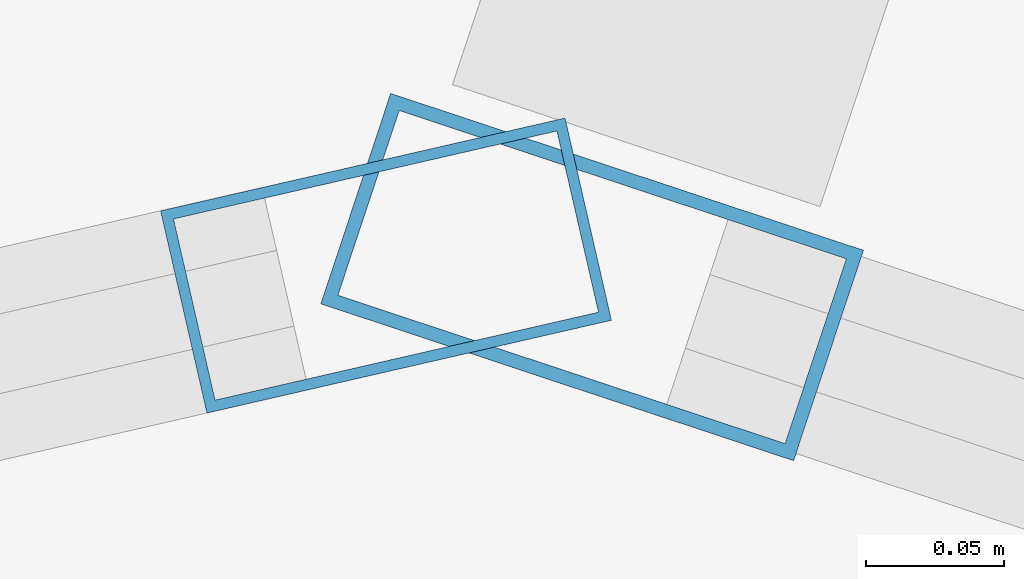
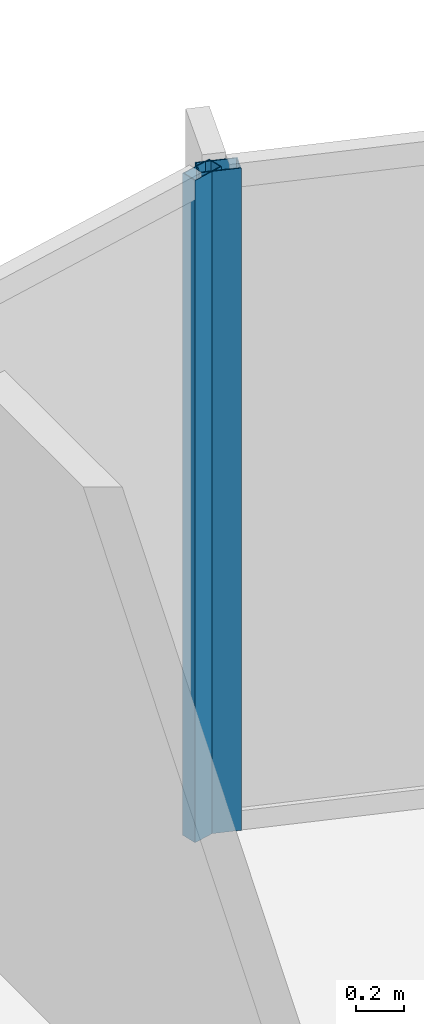
# One storey, part 22 of 34: 2 members, 2 elements without a shape of their own.
"""IFC4 building model written with IfcOpenShell, lengths in metres."""

from ifc_helpers import new_model, si_unit, direction, frame, origin, origin_2d, place, context, subcontext, project, spatial, hollow_rectangle, extrude, material, layer, layer_set, material_profile, profile_set, type_object, element, aggregate, save


model = new_model("IFC4")

# Units and contexts
model_context = context("Model", 3, precision=1e-05, world=origin(), true_north=direction((0.0, 1.0)))
body_context = subcontext(model_context, "Body", "Model", "MODEL_VIEW")
ifc_project = project(units=[si_unit("LENGTHUNIT", "METRE"), si_unit("AREAUNIT", "SQUARE_METRE"), si_unit("VOLUMEUNIT", "CUBIC_METRE"), si_unit("PLANEANGLEUNIT", "RADIAN"), si_unit("MASSUNIT", "GRAM", prefix="KILO")], contexts=[model_context])

# Site, building, storey
site_placement = place(None, origin())
site = spatial("IfcSite", under=ifc_project, at=site_placement, CompositionType="ELEMENT")
building_placement = place(site_placement, origin())
building = spatial("IfcBuilding", under=site, at=building_placement, Name="Kazevale Care Tower and Concert Hall", CompositionType="ELEMENT")
storey_placement = place(building_placement, frame((0.0, 0.0, 171.0)))
storey = spatial("IfcBuildingStorey", under=building, at=storey_placement, Name="L45", CompositionType="ELEMENT", Elevation=171.0)

# Curtain wall, member
ifc_material_1 = material(Name="Aluminium 6063-T6 and Low-E Glass", Category="aluminium")
ifc_layer_1 = layer(ifc_material_1, 0.179931640625)
ifc_layer_set_1 = layer_set([ifc_layer_1], Name="Aluminium 6063-T6 and Low-E Glass")
curtain_wall_type_1 = type_object("IfcCurtainWallType", Name="Convex Checkerboard Finned Curtain Wall CW-2", PredefinedType="NOTDEFINED", material=ifc_layer_set_1)
curtain_wall_1_placement = place(storey_placement, origin())
curtain_wall_1 = element("IfcCurtainWall", 1, at=curtain_wall_1_placement, inside=storey, type_object=curtain_wall_type_1, Name="cw:L45:f16", PredefinedType="NOTDEFINED")
ifc_material_2 = material(Name="Aluminium 6063-T6", Category="aluminium")
ifc_material_profile_1 = material_profile(ifc_material_2, hollow_rectangle(XDim=0.080078125, YDim=0.179931640625, WallThickness=0.0048828125, at=origin_2d()), Name="ALU80x180x5")
ifc_profile_set_1 = profile_set([ifc_material_profile_1], Name="Aluminium 6063-T6")
member_type_1 = type_object("IfcMemberType", Name="CW-2 Mullion ALU80x180x5", PredefinedType="MULLION", material=ifc_profile_set_1)
member_1_placement = place(storey_placement, frame((44.995849609375, 66.75537109375, 0.0), z_axis=(0.0, 0.0, 1.0), x_axis=(0.314868185785, 0.949135409507, 0.0)))
member_1 = element("IfcMember", 2, at=member_1_placement, type_object=member_type_1, Name="CW-2 mullion 1", PredefinedType="MULLION", context=body_context, shape_type="SweptSolid", body=[
    extrude(hollow_rectangle(XDim=0.080078125, YDim=0.179931640625, WallThickness=0.0048828125, at=origin_2d()), origin(), (0.0, 0.0, 1.0), 3.360107421875),
])
aggregate(curtain_wall_1, [member_1])

ifc_layer_2 = layer(ifc_material_1, 0.179931640625)
ifc_layer_set_2 = layer_set([ifc_layer_2], Name="Aluminium 6063-T6 and Low-E Glass")
curtain_wall_type_2 = type_object("IfcCurtainWallType", Name="Convex Recessed Sunroom Curtain Wall CW-3", PredefinedType="NOTDEFINED", material=ifc_layer_set_2)
curtain_wall_2_placement = place(storey_placement, origin())
curtain_wall_2 = element("IfcCurtainWall", 3, at=curtain_wall_2_placement, inside=storey, type_object=curtain_wall_type_2, Name="cw:L45:f15", PredefinedType="NOTDEFINED")
ifc_material_profile_2 = material_profile(ifc_material_2, hollow_rectangle(XDim=0.074951171875, YDim=0.14990234375, WallThickness=0.00390625, at=origin_2d()), Name="ALU75x150x4")
ifc_profile_set_2 = profile_set([ifc_material_profile_2], Name="Aluminium 6063-T6")
member_type_2 = type_object("IfcMemberType", Name="CW-3 Mullion ALU75x150x4", PredefinedType="MULLION", material=ifc_profile_set_2)
member_2_placement = place(storey_placement, frame((44.92138671875, 66.759521484375, 0.0), z_axis=(0.0, 0.0, 1.0), x_axis=(-0.223567329284, 0.974688488327, 0.0)))
member_2 = element("IfcMember", 4, at=member_2_placement, type_object=member_type_2, Name="CW-3 mullion 2", PredefinedType="MULLION", context=body_context, shape_type="SweptSolid", body=[
    extrude(hollow_rectangle(XDim=0.074951171875, YDim=0.14990234375, WallThickness=0.00390625, at=origin_2d()), origin(), (0.0, 0.0, 1.0), 3.360107421875),
])
aggregate(curtain_wall_2, [member_2])

save(model, "model.ifc")
